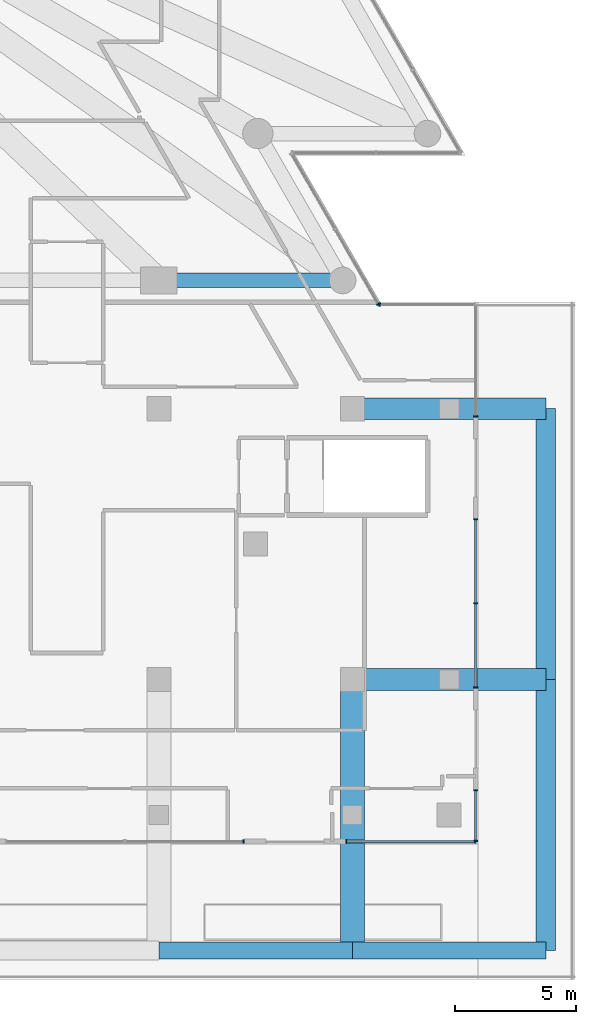
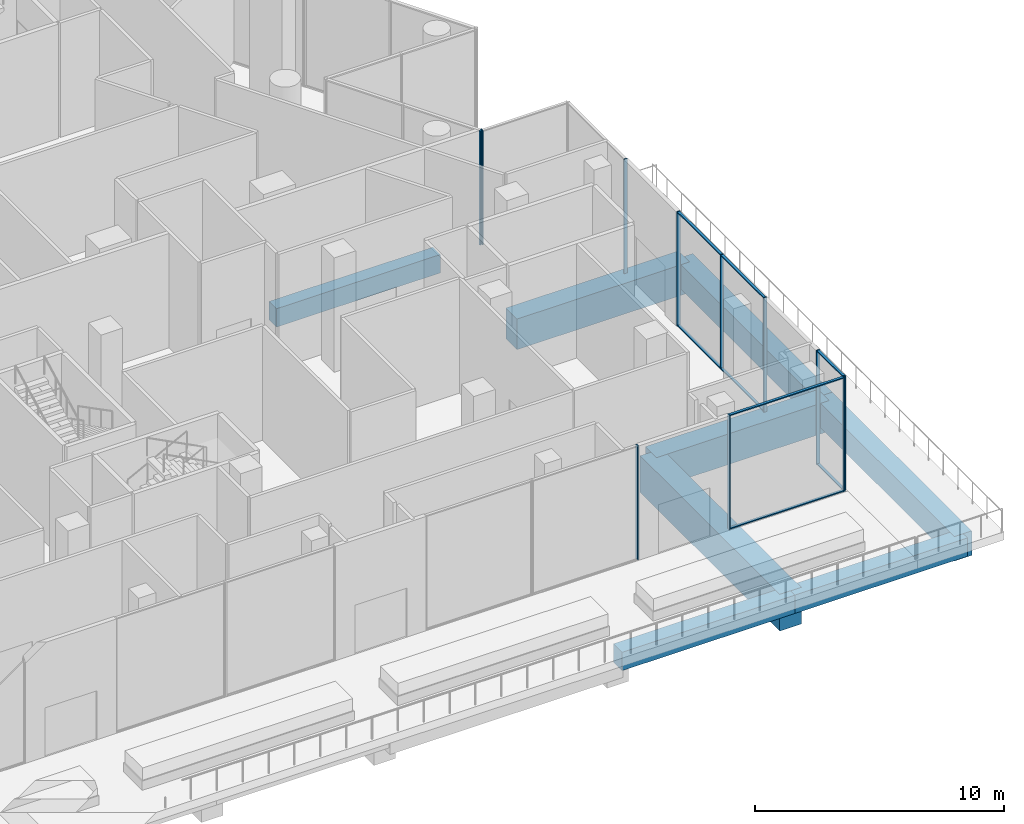
# One storey, part 13 of 36: 19 members, 8 beams, 7 elements without a shape of their own.
"""IFC4 building model written with IfcOpenShell, lengths in metres."""

from ifc_helpers import new_model, si_unit, direction, frame, origin, origin_2d, place, context, subcontext, project, spatial, rectangle, extrude, material, layer, layer_set, material_profile, profile_set, type_object, element, aggregate, save


model = new_model("IFC4")

# Units and contexts
model_context = context("Model", 3, precision=1e-05, world=origin(), true_north=direction((0.0, 1.0)))
body_context = subcontext(model_context, "Body", "Model", "MODEL_VIEW")
ifc_project = project(units=[si_unit("LENGTHUNIT", "METRE"), si_unit("AREAUNIT", "SQUARE_METRE"), si_unit("VOLUMEUNIT", "CUBIC_METRE"), si_unit("PLANEANGLEUNIT", "RADIAN"), si_unit("MASSUNIT", "GRAM", prefix="KILO")], contexts=[model_context])

# Site, building, storey
site_placement = place(None, origin())
site = spatial("IfcSite", under=ifc_project, at=site_placement, CompositionType="ELEMENT")
building_placement = place(site_placement, origin())
building = spatial("IfcBuilding", under=site, at=building_placement, Name="Triada Interchange Tower", CompositionType="ELEMENT")
storey_placement = place(building_placement, frame((0.0, 0.0, 8.5)))
storey = spatial("IfcBuildingStorey", under=building, at=storey_placement, Name="L01", CompositionType="ELEMENT", Elevation=8.5)

# Curtain wall, member
ifc_material_1 = material(Name="Aluminium framed glazing", Category="aluminium")
ifc_layer_1 = layer(ifc_material_1, 0.199951171875)
ifc_layer_set_1 = layer_set([ifc_layer_1], Name="Curtain wall Retail shopfront")
curtain_wall_type_1 = type_object("IfcCurtainWallType", Name="Curtain wall Retail shopfront", PredefinedType="NOTDEFINED", material=ifc_layer_set_1)
curtain_wall_1_placement = place(storey_placement, origin())
curtain_wall_1 = element("IfcCurtainWall", 1, at=curtain_wall_1_placement, inside=storey, type_object=curtain_wall_type_1, Name="Retail shopfront CW009 L01", PredefinedType="NOTDEFINED")
ifc_material_2 = material(Name="Aluminium", Category="aluminium")
ifc_material_profile_1 = material_profile(ifc_material_2, rectangle(XDim=0.14990234375, YDim=0.050048828125, at=origin_2d()), Name="Aluminium mullion")
ifc_profile_set_1 = profile_set([ifc_material_profile_1], Name="Aluminium")
member_type_1 = type_object("IfcMemberType", Name="Mullion Retail shopfront 150x50", PredefinedType="MULLION", material=ifc_profile_set_1)
member_1_placement = place(storey_placement, frame((26.294921875, -44.800048828125, 0.0), z_axis=(0.0, 0.0, 1.0), x_axis=(0.0, 1.0, 0.0)))
member_1 = element("IfcMember", 2, at=member_1_placement, type_object=member_type_1, Name="CW009 mullion 2", PredefinedType="MULLION", context=body_context, shape_type="SweptSolid", body=[
    extrude(rectangle(XDim=0.14990234375, YDim=0.050048828125, at=origin_2d()), origin(), (0.0, 0.0, 1.0), 5.60009765625),
])
aggregate(curtain_wall_1, [member_1])

# Curtain wall, members
curtain_wall_2_placement = place(storey_placement, origin())
curtain_wall_2 = element("IfcCurtainWall", 3, at=curtain_wall_2_placement, inside=storey, type_object=curtain_wall_type_1, Name="Retail shopfront CW010 L01", PredefinedType="NOTDEFINED")
member_2_placement = place(storey_placement, frame((30.544921875, -44.800048828125, 0.0), z_axis=(0.0, 0.0, 1.0), x_axis=(0.0, 1.0, 0.0)))
member_2 = element("IfcMember", 4, at=member_2_placement, type_object=member_type_1, Name="CW010 mullion 1", PredefinedType="MULLION", context=body_context, shape_type="SweptSolid", body=[
    extrude(rectangle(XDim=0.14990234375, YDim=0.050048828125, at=origin_2d()), origin(), (0.0, 0.0, 1.0), 5.60009765625),
])
member_3_placement = place(storey_placement, frame((35.875, -44.800048828125, 0.0), z_axis=(0.0, 0.0, 1.0), x_axis=(0.0, 1.0, 0.0)))
member_3 = element("IfcMember", 5, at=member_3_placement, type_object=member_type_1, Name="CW010 mullion 2", PredefinedType="MULLION", context=body_context, shape_type="SweptSolid", body=[
    extrude(rectangle(XDim=0.14990234375, YDim=0.050048828125, at=origin_2d()), origin(), (0.0, 0.0, 1.0), 5.60009765625),
])

curtain_wall_3_placement = place(storey_placement, origin())
curtain_wall_3 = element("IfcCurtainWall", 6, at=curtain_wall_3_placement, inside=storey, type_object=curtain_wall_type_1, Name="Retail shopfront CW011 L01", PredefinedType="NOTDEFINED")
member_4_placement = place(storey_placement, frame((35.89990234375, -44.77490234375, 0.0), z_axis=(0.0, 0.0, 1.0), x_axis=(-1.0, 0.0, 0.0)))
member_4 = element("IfcMember", 7, at=member_4_placement, type_object=member_type_1, Name="CW011 mullion 1", PredefinedType="MULLION", context=body_context, shape_type="SweptSolid", body=[
    extrude(rectangle(XDim=0.14990234375, YDim=0.050048828125, at=origin_2d()), origin(), (0.0, 0.0, 1.0), 5.60009765625),
])
member_5_placement = place(storey_placement, frame((35.89990234375, -42.675048828125, 0.0), z_axis=(0.0, 0.0, 1.0), x_axis=(-1.0, 0.0, 0.0)))
member_5 = element("IfcMember", 8, at=member_5_placement, type_object=member_type_1, Name="CW011 mullion 2", PredefinedType="MULLION", context=body_context, shape_type="SweptSolid", body=[
    extrude(rectangle(XDim=0.14990234375, YDim=0.050048828125, at=origin_2d()), origin(), (0.0, 0.0, 1.0), 5.60009765625),
])

curtain_wall_4_placement = place(storey_placement, origin())
curtain_wall_4 = element("IfcCurtainWall", 9, at=curtain_wall_4_placement, inside=storey, type_object=curtain_wall_type_1, Name="Retail shopfront CW012 L01", PredefinedType="NOTDEFINED")
member_6_placement = place(storey_placement, frame((35.89990234375, -38.425048828125, 0.0), z_axis=(0.0, 0.0, 1.0), x_axis=(-1.0, 0.0, 0.0)))
member_6 = element("IfcMember", 10, at=member_6_placement, type_object=member_type_1, Name="CW012 mullion 1", PredefinedType="MULLION", context=body_context, shape_type="SweptSolid", body=[
    extrude(rectangle(XDim=0.14990234375, YDim=0.050048828125, at=origin_2d()), origin(), (0.0, 0.0, 1.0), 5.60009765625),
])
member_7_placement = place(storey_placement, frame((35.89990234375, -34.949951171875, 0.0), z_axis=(0.0, 0.0, 1.0), x_axis=(-1.0, 0.0, 0.0)))
member_7 = element("IfcMember", 11, at=member_7_placement, type_object=member_type_1, Name="CW012 mullion 2", PredefinedType="MULLION", context=body_context, shape_type="SweptSolid", body=[
    extrude(rectangle(XDim=0.14990234375, YDim=0.050048828125, at=origin_2d()), origin(), (0.0, 0.0, 1.0), 5.60009765625),
])
member_8_placement = place(storey_placement, frame((35.89990234375, -31.47509765625, 0.0), z_axis=(0.0, 0.0, 1.0), x_axis=(-1.0, 0.0, 0.0)))
member_8 = element("IfcMember", 12, at=member_8_placement, type_object=member_type_1, Name="CW012 mullion 3", PredefinedType="MULLION", context=body_context, shape_type="SweptSolid", body=[
    extrude(rectangle(XDim=0.14990234375, YDim=0.050048828125, at=origin_2d()), origin(), (0.0, 0.0, 1.0), 5.60009765625),
])

# Curtain wall, member
curtain_wall_5_placement = place(storey_placement, origin())
curtain_wall_5 = element("IfcCurtainWall", 13, at=curtain_wall_5_placement, inside=storey, type_object=curtain_wall_type_1, Name="Retail shopfront CW013 L01", PredefinedType="NOTDEFINED")
member_9_placement = place(storey_placement, frame((35.89990234375, -27.22509765625, 0.0), z_axis=(0.0, 0.0, 1.0), x_axis=(-1.0, 0.0, 0.0)))
member_9 = element("IfcMember", 14, at=member_9_placement, type_object=member_type_1, Name="CW013 mullion 1", PredefinedType="MULLION", context=body_context, shape_type="SweptSolid", body=[
    extrude(rectangle(XDim=0.14990234375, YDim=0.050048828125, at=origin_2d()), origin(), (0.0, 0.0, 1.0), 5.60009765625),
])
aggregate(curtain_wall_5, [member_9])

curtain_wall_6_placement = place(storey_placement, origin())
curtain_wall_6 = element("IfcCurtainWall", 15, at=curtain_wall_6_placement, inside=storey, type_object=curtain_wall_type_1, Name="Retail shopfront CW014 L01", PredefinedType="NOTDEFINED")
member_10_placement = place(storey_placement, frame((31.923095703125, -22.60009765625, 0.0), z_axis=(0.0, 0.0, 1.0), x_axis=(0.0, -1.0, 0.0)))
member_10 = element("IfcMember", 16, at=member_10_placement, type_object=member_type_1, Name="CW014 mullion 2", PredefinedType="MULLION", context=body_context, shape_type="SweptSolid", body=[
    extrude(rectangle(XDim=0.14990234375, YDim=0.050048828125, at=origin_2d()), origin(), (0.0, 0.0, 1.0), 5.60009765625),
])
aggregate(curtain_wall_6, [member_10])

ifc_layer_2 = layer(ifc_material_1, 0.199951171875)
ifc_layer_set_2 = layer_set([ifc_layer_2], Name="Curtain wall Tower lobby glazing")
curtain_wall_type_2 = type_object("IfcCurtainWallType", Name="Curtain wall Tower lobby glazing", PredefinedType="NOTDEFINED", material=ifc_layer_set_2)
curtain_wall_7_placement = place(storey_placement, origin())
curtain_wall_7 = element("IfcCurtainWall", 17, at=curtain_wall_7_placement, inside=storey, type_object=curtain_wall_type_2, Name="Tower lobby glazing CW015 L01", PredefinedType="NOTDEFINED")
ifc_material_profile_2 = material_profile(ifc_material_2, rectangle(XDim=0.179931640625, YDim=0.06005859375, at=origin_2d()), Name="Aluminium mullion")
ifc_profile_set_2 = profile_set([ifc_material_profile_2], Name="Aluminium")
member_type_2 = type_object("IfcMemberType", Name="Mullion Tower lobby glazing 180x60", PredefinedType="MULLION", material=ifc_profile_set_2)
member_11_placement = place(storey_placement, frame((31.883056640625, -22.573974609375, 0.0), z_axis=(0.0, 0.0, 1.0), x_axis=(-0.866077569894, -0.499909634761, 0.0)))
member_11 = element("IfcMember", 18, at=member_11_placement, type_object=member_type_2, Name="CW015 mullion 1", PredefinedType="MULLION", context=body_context, shape_type="SweptSolid", body=[
    extrude(rectangle(XDim=0.179931640625, YDim=0.06005859375, at=origin_2d()), origin(), (0.0, 0.0, 1.0), 5.60009765625),
])
aggregate(curtain_wall_7, [member_11])

# Beams
ifc_material_3 = material(Name="Concrete C50/60", Category="concrete")
ifc_material_profile_3 = material_profile(ifc_material_3, rectangle(XDim=0.60009765625, YDim=0.89990234375, at=origin_2d()), Name="RC 600x900")
ifc_profile_set_3 = profile_set([ifc_material_profile_3], Name="Concrete C50/60")
beam_type_1 = type_object("IfcBeamType", Name="Spandrel beam P RC 600x900", PredefinedType="BEAM", material=ifc_profile_set_3)
beam_1_placement = place(storey_placement, frame((22.798095703125, -21.60009765625, -0.85009765625), z_axis=(1.0, 0.0, 0.0), x_axis=(0.0, 1.0, 0.0)))
element("IfcBeam", 19, at=beam_1_placement, inside=storey, type_object=beam_type_1, Name="Spandrel beam EP18 L01", PredefinedType="BEAM", context=body_context, shape_type="SweptSolid", body=[
    extrude(rectangle(XDim=0.60009765625, YDim=0.89990234375, at=origin_2d()), origin(), (0.0, 0.0, 1.0), 7.598876953125),
])
ifc_material_4 = material(Name="Concrete C40/50", Category="concrete")
ifc_material_profile_4 = material_profile(ifc_material_4, rectangle(XDim=0.699951171875, YDim=0.89990234375, at=origin_2d()), Name="RC 700x900")
ifc_profile_set_4 = profile_set([ifc_material_profile_4], Name="Concrete C40/50")
beam_type_2 = type_object("IfcBeamType", Name="Terrace beam RC 700x900", PredefinedType="BEAM", material=ifc_profile_set_4)
for number, where, z_axis, x_axis, name in (
    (20, (38.800048828125, -49.300048828125, -0.85009765625), (-1.0, 0.0, 0.0), (0.0, -1.0, 0.0), "Terrace beam TE04 L01"),
    (21, (22.800048828125, -49.300048828125, -0.85009765625), (1.0, 0.0, 0.0), (0.0, 1.0, 0.0), "Terrace beam TE13 L01"),
):
    element("IfcBeam", number, at=place(storey_placement, frame(where, z_axis=z_axis, x_axis=x_axis)), inside=storey, type_object=beam_type_2, Name=name, PredefinedType="BEAM", context=body_context, shape_type="SweptSolid", body=[
        extrude(rectangle(XDim=0.699951171875, YDim=0.89990234375, at=origin_2d()), origin(), (0.0, 0.0, 1.0), 8.0),
    ])
ifc_material_profile_5 = material_profile(ifc_material_4, rectangle(XDim=0.800048828125, YDim=1.199951171875, at=origin_2d()), Name="RC 800x1200")
ifc_profile_set_5 = profile_set([ifc_material_profile_5], Name="Concrete C40/50")
beam_type_3 = type_object("IfcBeamType", Name="Terrace beam RC 800x1200", PredefinedType="BEAM", material=ifc_profile_set_5)
beam_2_placement = place(storey_placement, frame((38.800048828125, -49.300048828125, -1.0), z_axis=(0.0, 1.0, 0.0), x_axis=(-1.0, 0.0, 0.0)))
element("IfcBeam", 22, at=beam_2_placement, inside=storey, type_object=beam_type_3, Name="Terrace beam TE05 L01", PredefinedType="BEAM", context=body_context, shape_type="SweptSolid", body=[
    extrude(rectangle(XDim=0.800048828125, YDim=1.199951171875, at=origin_2d()), origin(), (0.0, 0.0, 1.0), 11.199951171875),
])
beam_3_placement = place(storey_placement, frame((38.800048828125, -38.10009765625, -1.0), z_axis=(0.0, 1.0, 0.0), x_axis=(-1.0, 0.0, 0.0)))
element("IfcBeam", 23, at=beam_3_placement, inside=storey, type_object=beam_type_3, Name="Terrace beam TE06 L01", PredefinedType="BEAM", context=body_context, shape_type="SweptSolid", body=[
    extrude(rectangle(XDim=0.800048828125, YDim=1.199951171875, at=origin_2d()), origin(), (0.0, 0.0, 1.0), 11.2001953125),
])
ifc_material_profile_6 = material_profile(ifc_material_3, rectangle(XDim=1.0, YDim=1.800048828125, at=origin_2d()), Name="RC 1000x1800")
ifc_profile_set_6 = profile_set([ifc_material_profile_6], Name="Concrete C50/60")
beam_type_4 = type_object("IfcBeamType", Name="Transfer girder RC 1000x1800", PredefinedType="BEAM", material=ifc_profile_set_6)
beam_4_placement = place(storey_placement, frame((30.800048828125, -49.300048828125, -1.300048828125), z_axis=(0.0, 1.0, 0.0), x_axis=(-1.0, 0.0, 0.0)))
element("IfcBeam", 24, at=beam_4_placement, inside=storey, type_object=beam_type_4, Name="Transfer girder TG12 L01", PredefinedType="BEAM", context=body_context, shape_type="SweptSolid", body=[
    extrude(rectangle(XDim=1.0, YDim=1.800048828125, at=origin_2d()), origin(), (0.0, 0.0, 1.0), 11.199951171875),
])
ifc_material_profile_7 = material_profile(ifc_material_3, rectangle(XDim=0.89990234375, YDim=1.5, at=origin_2d()), Name="RC 900x1500")
ifc_profile_set_7 = profile_set([ifc_material_profile_7], Name="Concrete C50/60")
beam_type_5 = type_object("IfcBeamType", Name="Transfer girder RC 900x1500", PredefinedType="BEAM", material=ifc_profile_set_7)
for number, where, z_axis, x_axis, name in (
    (25, (38.800048828125, -38.10009765625, -1.14990234375), (-1.0, 0.0, 0.0), (0.0, -1.0, 0.0), "Transfer girder TG03 L01"),
    (26, (38.800048828125, -26.89990234375, -1.14990234375), (-1.0, 0.0, 0.0), (0.0, -1.0, 0.0), "Transfer girder TG04 L01"),
):
    element("IfcBeam", number, at=place(storey_placement, frame(where, z_axis=z_axis, x_axis=x_axis)), inside=storey, type_object=beam_type_5, Name=name, PredefinedType="BEAM", context=body_context, shape_type="SweptSolid", body=[
        extrude(rectangle(XDim=0.89990234375, YDim=1.5, at=origin_2d()), origin(), (0.0, 0.0, 1.0), 8.0),
    ])

# Member
ifc_material_profile_8 = material_profile(ifc_material_2, rectangle(XDim=0.1201171875, YDim=0.050048828125, at=origin_2d()), Name="Aluminium transom")
ifc_profile_set_8 = profile_set([ifc_material_profile_8], Name="Aluminium")
member_type_3 = type_object("IfcMemberType", Name="Transom Retail shopfront 120x50", PredefinedType="USERDEFINED", material=ifc_profile_set_8)
member_12_placement = place(storey_placement, frame((30.570068359375, -44.800048828125, 0.02490234375), z_axis=(1.0, 0.0, 0.0), x_axis=(0.0, 1.0, 0.0)))
member_12 = element("IfcMember", 27, at=member_12_placement, type_object=member_type_3, Name="CW010 transom 1.1", ObjectType="TRANSOM", PredefinedType="USERDEFINED", context=body_context, shape_type="SweptSolid", body=[
    extrude(rectangle(XDim=0.1201171875, YDim=0.050048828125, at=origin_2d()), origin(), (0.0, 0.0, 1.0), 5.280029296875),
])

member_13_placement = place(storey_placement, frame((30.570068359375, -44.800048828125, 5.574951171875), z_axis=(1.0, 0.0, 0.0), x_axis=(0.0, 1.0, 0.0)))
member_13 = element("IfcMember", 28, at=member_13_placement, type_object=member_type_3, Name="CW010 transom 1.2", ObjectType="TRANSOM", PredefinedType="USERDEFINED", context=body_context, shape_type="SweptSolid", body=[
    extrude(rectangle(XDim=0.1201171875, YDim=0.050048828125, at=origin_2d()), origin(), (0.0, 0.0, 1.0), 5.280029296875),
])

aggregate(curtain_wall_2, [member_2, member_3, member_12, member_13])

member_14_placement = place(storey_placement, frame((35.89990234375, -44.75, 0.02490234375), z_axis=(0.0, 1.0, 0.0), x_axis=(-1.0, 0.0, 0.0)))
member_14 = element("IfcMember", 29, at=member_14_placement, type_object=member_type_3, Name="CW011 transom 1.1", ObjectType="TRANSOM", PredefinedType="USERDEFINED", context=body_context, shape_type="SweptSolid", body=[
    extrude(rectangle(XDim=0.1201171875, YDim=0.050048828125, at=origin_2d()), origin(), (0.0, 0.0, 1.0), 2.050048828125),
])

member_15_placement = place(storey_placement, frame((35.89990234375, -44.75, 5.574951171875), z_axis=(0.0, 1.0, 0.0), x_axis=(-1.0, 0.0, 0.0)))
member_15 = element("IfcMember", 30, at=member_15_placement, type_object=member_type_3, Name="CW011 transom 1.2", ObjectType="TRANSOM", PredefinedType="USERDEFINED", context=body_context, shape_type="SweptSolid", body=[
    extrude(rectangle(XDim=0.1201171875, YDim=0.050048828125, at=origin_2d()), origin(), (0.0, 0.0, 1.0), 2.050048828125),
])

aggregate(curtain_wall_3, [member_4, member_5, member_14, member_15])

member_16_placement = place(storey_placement, frame((35.89990234375, -38.39990234375, 0.02490234375), z_axis=(0.0, 1.0, 0.0), x_axis=(-1.0, 0.0, 0.0)))
member_16 = element("IfcMember", 31, at=member_16_placement, type_object=member_type_3, Name="CW012 transom 1.1", ObjectType="TRANSOM", PredefinedType="USERDEFINED", context=body_context, shape_type="SweptSolid", body=[
    extrude(rectangle(XDim=0.1201171875, YDim=0.050048828125, at=origin_2d()), origin(), (0.0, 0.0, 1.0), 3.4248046875),
])

member_17_placement = place(storey_placement, frame((35.89990234375, -38.39990234375, 5.574951171875), z_axis=(0.0, 1.0, 0.0), x_axis=(-1.0, 0.0, 0.0)))
member_17 = element("IfcMember", 32, at=member_17_placement, type_object=member_type_3, Name="CW012 transom 1.2", ObjectType="TRANSOM", PredefinedType="USERDEFINED", context=body_context, shape_type="SweptSolid", body=[
    extrude(rectangle(XDim=0.1201171875, YDim=0.050048828125, at=origin_2d()), origin(), (0.0, 0.0, 1.0), 3.4248046875),
])

member_18_placement = place(storey_placement, frame((35.89990234375, -34.925048828125, 0.02490234375), z_axis=(0.0, 1.0, 0.0), x_axis=(-1.0, 0.0, 0.0)))
member_18 = element("IfcMember", 33, at=member_18_placement, type_object=member_type_3, Name="CW012 transom 2.1", ObjectType="TRANSOM", PredefinedType="USERDEFINED", context=body_context, shape_type="SweptSolid", body=[
    extrude(rectangle(XDim=0.1201171875, YDim=0.050048828125, at=origin_2d()), origin(), (0.0, 0.0, 1.0), 3.425048828125),
])

member_19_placement = place(storey_placement, frame((35.89990234375, -34.925048828125, 5.574951171875), z_axis=(0.0, 1.0, 0.0), x_axis=(-1.0, 0.0, 0.0)))
member_19 = element("IfcMember", 34, at=member_19_placement, type_object=member_type_3, Name="CW012 transom 2.2", ObjectType="TRANSOM", PredefinedType="USERDEFINED", context=body_context, shape_type="SweptSolid", body=[
    extrude(rectangle(XDim=0.1201171875, YDim=0.050048828125, at=origin_2d()), origin(), (0.0, 0.0, 1.0), 3.425048828125),
])

aggregate(curtain_wall_4, [member_6, member_7, member_8, member_16, member_17, member_18, member_19])

save(model, "model.ifc")
